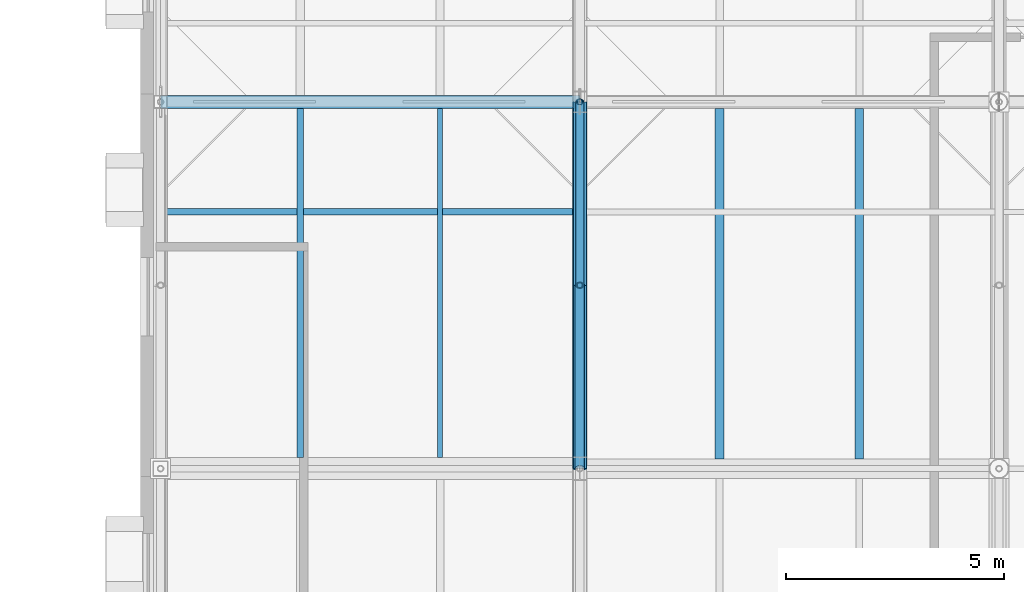
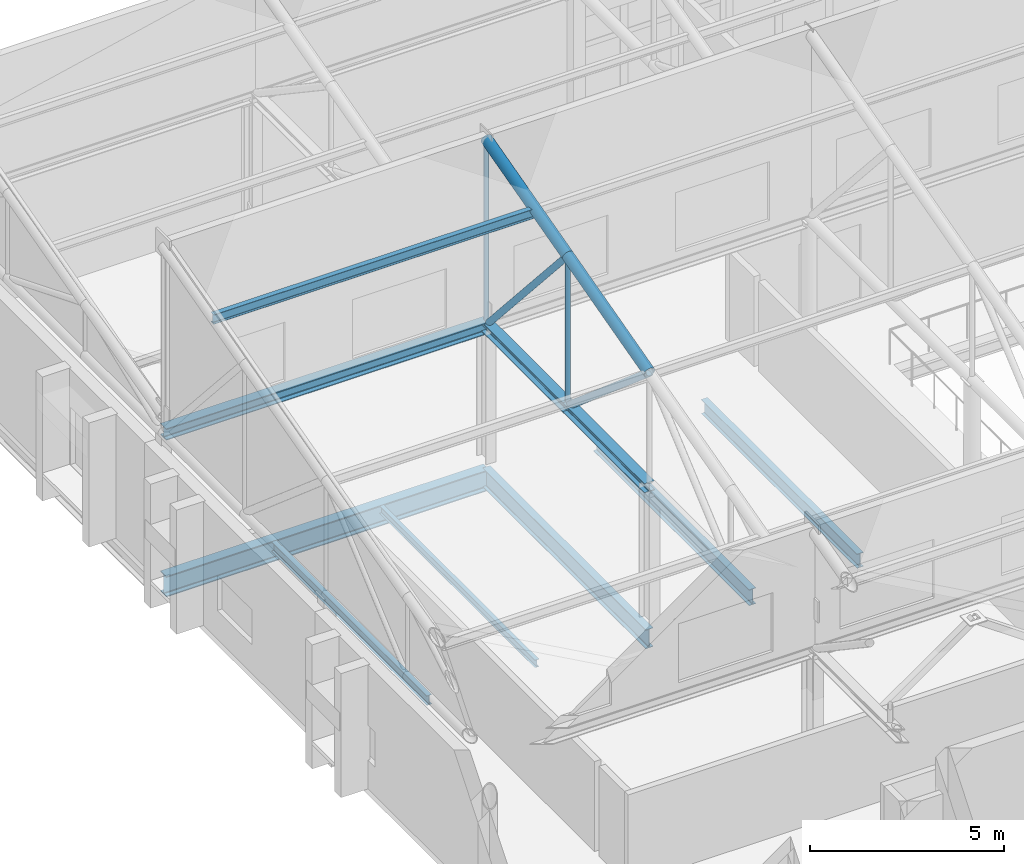
# One storey, part 31 of 89: 9 members, 7 beams.
"""IFC4 building model written with IfcOpenShell, lengths in metres."""

from ifc_helpers import new_model, si_unit, direction, frame, origin, origin_2d, place, context, subcontext, project, spatial, hollow_circle, i_section, extrude, material, material_profile, profile_set, type_object, element, save


model = new_model("IFC4")

# Units and contexts
model_context = context("Model", 3, precision=1e-05, world=origin(), true_north=direction((0.0, 1.0)))
body_context = subcontext(model_context, "Body", "Model", "MODEL_VIEW")
ifc_project = project(units=[si_unit("LENGTHUNIT", "METRE"), si_unit("AREAUNIT", "SQUARE_METRE"), si_unit("VOLUMEUNIT", "CUBIC_METRE"), si_unit("PLANEANGLEUNIT", "RADIAN"), si_unit("MASSUNIT", "GRAM", prefix="KILO")], contexts=[model_context])

# Site, building, storey
site_placement = place(None, origin())
site = spatial("IfcSite", under=ifc_project, at=site_placement, CompositionType="ELEMENT")
building_placement = place(site_placement, origin())
building = spatial("IfcBuilding", under=site, at=building_placement, Name="Zereglee Splitstone Museum", CompositionType="ELEMENT")
storey_placement = place(building_placement, frame((0.0, 0.0, 21.300048828125)))
storey = spatial("IfcBuildingStorey", under=building, at=storey_placement, Name="L04", CompositionType="ELEMENT", Elevation=21.300048828125)

# Members
ifc_material_1 = material(Name="Steel S355J2H", Category="steel")
ifc_material_profile_1 = material_profile(ifc_material_1, hollow_circle(Radius=0.096923828125, WallThickness=0.010009765625, at=origin_2d()), Name="CHS 193.7x10")
ifc_profile_set_1 = profile_set([ifc_material_profile_1], Name="Steel S355J2H")
member_type_1 = type_object("IfcMemberType", Name="TB-04", PredefinedType="BRACE", material=ifc_profile_set_1)
member_1_placement = place(storey_placement, frame((87.60009765625, 38.39990234375, 4.199951171875), z_axis=(0.0, -0.664351853733, 0.747419971932), x_axis=(1.0, 0.0, 0.0)))
element("IfcMember", 1, at=member_1_placement, inside=storey, type_object=member_type_1, Name="Roof Truss ST-02 Diagonal 2.4", PredefinedType="BRACE", context=body_context, shape_type="SweptSolid", body=[
    extrude(hollow_circle(Radius=0.096923828125, WallThickness=0.010009765625, at=origin_2d()), origin(), (0.0, 0.0, 1.0), 6.32177734375),
])
ifc_material_profile_2 = material_profile(ifc_material_1, hollow_circle(Radius=0.109619140625, WallThickness=0.010009765625, at=origin_2d()), Name="CHS 219.1x10")
ifc_profile_set_2 = profile_set([ifc_material_profile_2], Name="Steel S355J2H")
member_type_2 = type_object("IfcMemberType", Name="TB-03", PredefinedType="BRACE", material=ifc_profile_set_2)
member_2_placement = place(storey_placement, frame((87.60009765625, 34.199951171875, 4.199951171875), z_axis=(0.0, -0.759244140748, 0.650805911728), x_axis=(1.0, 0.0, 0.0)))
element("IfcMember", 2, at=member_2_placement, inside=storey, type_object=member_type_2, Name="Roof Truss ST-02 Diagonal 2.3", PredefinedType="BRACE", context=body_context, shape_type="SweptSolid", body=[
    extrude(hollow_circle(Radius=0.109619140625, WallThickness=0.010009765625, at=origin_2d()), origin(), (0.0, 0.0, 1.0), 5.53173828125),
])
ifc_material_profile_3 = material_profile(ifc_material_1, hollow_circle(Radius=0.161865234375, WallThickness=0.01611328125, at=origin_2d()), Name="CHS 323.9x16")
ifc_profile_set_3 = profile_set([ifc_material_profile_3], Name="Steel S355J2H")
member_type_3 = type_object("IfcMemberType", Name="TC-05", PredefinedType="CHORD", material=ifc_profile_set_3)
for number, where, z_axis, x_axis, name in (
    (3, (87.60009765625, 30.0, 7.800048828125), (0.0, 0.965947299715, 0.258738891884), (-1.0, 0.0, 0.0), "Roof Truss ST-02 Top Chord 2.3"),
    (4, (87.60009765625, 34.199951171875, 8.925048828125), (0.0, 0.965947299715, 0.258738891884), (-1.0, 0.0, 0.0), "Roof Truss ST-02 Top Chord 2.4"),
):
    element("IfcMember", number, at=place(storey_placement, frame(where, z_axis=z_axis, x_axis=x_axis)), inside=storey, type_object=member_type_3, Name=name, PredefinedType="CHORD", context=body_context, shape_type="SweptSolid", body=[
        extrude(hollow_circle(Radius=0.161865234375, WallThickness=0.01611328125, at=origin_2d()), origin(), (0.0, 0.0, 1.0), 4.347900390625),
    ])
ifc_material_2 = material(Name="Steel S355J2", Category="steel")
ifc_material_profile_4 = material_profile(ifc_material_2, i_section(OverallWidth=0.300048828125, OverallDepth=0.300048828125, WebThickness=0.010986328125, FlangeThickness=0.01904296875, FilletRadius=0.027099609375, at=origin_2d()), Name="HE 300 B")
ifc_profile_set_4 = profile_set([ifc_material_profile_4], Name="Steel S355J2")
member_type_4 = type_object("IfcMemberType", Name="TC-07", PredefinedType="CHORD", material=ifc_profile_set_4)
for number, where, z_axis, x_axis, name in (
    (5, (87.60009765625, 30.0, 4.199951171875), (0.0, 1.0, 0.0), (-1.0, 0.0, 0.0), "Roof Truss ST-02 Bottom Chord 2.3"),
    (6, (87.60009765625, 34.199951171875, 4.199951171875), (0.0, 1.0, 0.0), (-1.0, 0.0, 0.0), "Roof Truss ST-02 Bottom Chord 2.4"),
):
    element("IfcMember", number, at=place(storey_placement, frame(where, z_axis=z_axis, x_axis=x_axis)), inside=storey, type_object=member_type_4, Name=name, PredefinedType="CHORD", context=body_context, shape_type="SweptSolid", body=[
        extrude(i_section(OverallWidth=0.300048828125, OverallDepth=0.300048828125, WebThickness=0.010986328125, FlangeThickness=0.01904296875, FilletRadius=0.027099609375, at=origin_2d()), origin(), (0.0, 0.0, 1.0), 4.199951171875),
    ])

# Beams
ifc_material_profile_5 = material_profile(ifc_material_2, i_section(OverallWidth=0.300048828125, OverallDepth=0.360107421875, WebThickness=0.012451171875, FlangeThickness=0.0224609375, FilletRadius=0.027099609375, at=origin_2d()), Name="HE 360 B")
ifc_profile_set_5 = profile_set([ifc_material_profile_5], Name="Steel S355J2")
beam_type_1 = type_object("IfcBeamType", Name="BG-14", PredefinedType="BEAM", material=ifc_profile_set_5)
beam_1_placement = place(storey_placement, frame((78.0, 38.39990234375, 4.199951171875), z_axis=(1.0, 0.0, 0.0), x_axis=(0.0, 1.0, 0.0)))
element("IfcBeam", 7, at=beam_1_placement, inside=storey, type_object=beam_type_1, Name="Sawtooth Monitor Sill Beam B1-S2", PredefinedType="BEAM", context=body_context, shape_type="SweptSolid", body=[
    extrude(i_section(OverallWidth=0.300048828125, OverallDepth=0.360107421875, WebThickness=0.012451171875, FlangeThickness=0.0224609375, FilletRadius=0.027099609375, at=origin_2d()), origin(), (0.0, 0.0, 1.0), 9.60009765625),
])
ifc_material_profile_6 = material_profile(ifc_material_2, i_section(OverallWidth=0.300048828125, OverallDepth=0.64990234375, WebThickness=0.01611328125, FlangeThickness=0.031005859375, FilletRadius=0.027099609375, at=origin_2d()), Name="HE 650 B")
ifc_profile_set_6 = profile_set([ifc_material_profile_6], Name="Steel S355J2")
beam_type_2 = type_object("IfcBeamType", Name="BG-09", PredefinedType="BEAM", material=ifc_profile_set_6)
beam_2_placement = place(storey_placement, frame((78.0, 38.39990234375, -0.5849609375), z_axis=(1.0, 0.0, 0.0), x_axis=(0.0, 1.0, 0.0)))
element("IfcBeam", 8, at=beam_2_placement, inside=storey, type_object=beam_type_2, Name="Primary Girder L04 E (78.0-87.6)", PredefinedType="BEAM", context=body_context, shape_type="SweptSolid", body=[
    extrude(i_section(OverallWidth=0.300048828125, OverallDepth=0.64990234375, WebThickness=0.01611328125, FlangeThickness=0.031005859375, FilletRadius=0.027099609375, at=origin_2d()), origin(), (0.0, 0.0, 1.0), 9.60009765625),
])
ifc_material_profile_7 = material_profile(ifc_material_2, i_section(OverallWidth=0.219970703125, OverallDepth=0.60009765625, WebThickness=0.011962890625, FlangeThickness=0.01904296875, FilletRadius=0.02392578125, at=origin_2d()), Name="IPE 600")
ifc_profile_set_7 = profile_set([ifc_material_profile_7], Name="Steel S355J2")
beam_type_3 = type_object("IfcBeamType", Name="BG-15", PredefinedType="BEAM", material=ifc_profile_set_7)
beam_3_placement = place(storey_placement, frame((87.60009765625, 30.0, -0.56005859375), z_axis=(0.0, 1.0, 0.0), x_axis=(-1.0, 0.0, 0.0)))
element("IfcBeam", 9, at=beam_3_placement, inside=storey, type_object=beam_type_3, Name="Primary Girder L04 11 (30.0-38.4)", PredefinedType="BEAM", context=body_context, shape_type="SweptSolid", body=[
    extrude(i_section(OverallWidth=0.219970703125, OverallDepth=0.60009765625, WebThickness=0.011962890625, FlangeThickness=0.01904296875, FilletRadius=0.02392578125, at=origin_2d()), origin(), (0.0, 0.0, 1.0), 8.39990234375),
])
ifc_material_profile_8 = material_profile(ifc_material_2, i_section(OverallWidth=0.1201171875, OverallDepth=0.239990234375, WebThickness=0.006103515625, FlangeThickness=0.009765625, FilletRadius=0.014892578125, at=origin_2d()), Name="IPE 240")
ifc_profile_set_8 = profile_set([ifc_material_profile_8], Name="Steel S355J2")
beam_type_4 = type_object("IfcBeamType", Name="BJ-07", PredefinedType="JOIST", material=ifc_profile_set_8)
beam_4_placement = place(storey_placement, frame((84.39990234375, 30.25, -0.380126953125), z_axis=(0.0, 1.0, 0.0), x_axis=(-1.0, 0.0, 0.0)))
element("IfcBeam", 10, at=beam_4_placement, inside=storey, type_object=beam_type_4, Name="Secondary Floor Joist L04-1539", PredefinedType="JOIST", context=body_context, shape_type="SweptSolid", body=[
    extrude(i_section(OverallWidth=0.1201171875, OverallDepth=0.239990234375, WebThickness=0.006103515625, FlangeThickness=0.009765625, FilletRadius=0.014892578125, at=origin_2d()), origin(), (0.0, 0.0, 1.0), 8.0),
])
ifc_material_profile_9 = material_profile(ifc_material_2, i_section(OverallWidth=0.14990234375, OverallDepth=0.300048828125, WebThickness=0.007080078125, FlangeThickness=0.0107421875, FilletRadius=0.014892578125, at=origin_2d()), Name="IPE 300")
ifc_profile_set_9 = profile_set([ifc_material_profile_9], Name="Steel S355J2")
beam_type_5 = type_object("IfcBeamType", Name="BJ-06", PredefinedType="JOIST", material=ifc_profile_set_9)
beam_5_placement = place(storey_placement, frame((81.199951171875, 30.25, -0.41015625), z_axis=(0.0, 1.0, 0.0), x_axis=(-1.0, 0.0, 0.0)))
element("IfcBeam", 11, at=beam_5_placement, inside=storey, type_object=beam_type_5, Name="Secondary Floor Joist L04-1538", PredefinedType="JOIST", context=body_context, shape_type="SweptSolid", body=[
    extrude(i_section(OverallWidth=0.14990234375, OverallDepth=0.300048828125, WebThickness=0.007080078125, FlangeThickness=0.0107421875, FilletRadius=0.014892578125, at=origin_2d()), origin(), (0.0, 0.0, 1.0), 8.0),
])
ifc_material_profile_10 = material_profile(ifc_material_2, i_section(OverallWidth=0.18994140625, OverallDepth=0.449951171875, WebThickness=0.009521484375, FlangeThickness=0.0146484375, FilletRadius=0.02099609375, at=origin_2d()), Name="IPE 450")
ifc_profile_set_10 = profile_set([ifc_material_profile_10], Name="Steel S355J2")
beam_type_6 = type_object("IfcBeamType", Name="BJ-02", PredefinedType="JOIST", material=ifc_profile_set_10)
beam_6_placement = place(storey_placement, frame((94.0, 30.22509765625, -0.485107421875), z_axis=(0.0, 1.0, 0.0), x_axis=(-1.0, 0.0, 0.0)))
element("IfcBeam", 12, at=beam_6_placement, inside=storey, type_object=beam_type_6, Name="Secondary Floor Joist L04-1541", PredefinedType="JOIST", context=body_context, shape_type="SweptSolid", body=[
    extrude(i_section(OverallWidth=0.18994140625, OverallDepth=0.449951171875, WebThickness=0.009521484375, FlangeThickness=0.0146484375, FilletRadius=0.02099609375, at=origin_2d()), origin(), (0.0, 0.0, 1.0), 8.02490234375),
])
ifc_material_profile_11 = material_profile(ifc_material_2, i_section(OverallWidth=0.199951171875, OverallDepth=0.5, WebThickness=0.01025390625, FlangeThickness=0.01611328125, FilletRadius=0.02099609375, at=origin_2d()), Name="IPE 500")
ifc_profile_set_11 = profile_set([ifc_material_profile_11], Name="Steel S355J2")
beam_type_7 = type_object("IfcBeamType", Name="BJ-01", PredefinedType="JOIST", material=ifc_profile_set_11)
beam_7_placement = place(storey_placement, frame((90.800048828125, 30.22509765625, -0.510009765625), z_axis=(0.0, 1.0, 0.0), x_axis=(-1.0, 0.0, 0.0)))
element("IfcBeam", 13, at=beam_7_placement, inside=storey, type_object=beam_type_7, Name="Secondary Floor Joist L04-1540", PredefinedType="JOIST", context=body_context, shape_type="SweptSolid", body=[
    extrude(i_section(OverallWidth=0.199951171875, OverallDepth=0.5, WebThickness=0.01025390625, FlangeThickness=0.01611328125, FilletRadius=0.02099609375, at=origin_2d()), origin(), (0.0, 0.0, 1.0), 8.02490234375),
])

# Members
ifc_material_profile_12 = material_profile(ifc_material_1, hollow_circle(Radius=0.06982421875, WallThickness=0.008056640625, at=origin_2d()), Name="CHS 139.7x8")
ifc_profile_set_12 = profile_set([ifc_material_profile_12], Name="Steel S355J2H")
member_type_5 = type_object("IfcMemberType", Name="TP-03", PredefinedType="POST", material=ifc_profile_set_12)
member_3_placement = place(storey_placement, frame((87.60009765625, 34.199951171875, 4.199951171875), z_axis=(0.0, 0.0, 1.0), x_axis=(1.0, 0.0, 0.0)))
element("IfcMember", 14, at=member_3_placement, inside=storey, type_object=member_type_5, Name="Roof Truss ST-02 Post 2.3", PredefinedType="POST", context=body_context, shape_type="SweptSolid", body=[
    extrude(hollow_circle(Radius=0.06982421875, WallThickness=0.008056640625, at=origin_2d()), origin(), (0.0, 0.0, 1.0), 4.72509765625),
])
member_4_placement = place(storey_placement, frame((87.60009765625, 38.39990234375, 4.199951171875), z_axis=(0.0, 0.0, 1.0), x_axis=(1.0, 0.0, 0.0)))
element("IfcMember", 15, at=member_4_placement, inside=storey, type_object=member_type_5, Name="Roof Truss ST-02 Post 2.4", PredefinedType="POST", context=body_context, shape_type="SweptSolid", body=[
    extrude(hollow_circle(Radius=0.06982421875, WallThickness=0.008056640625, at=origin_2d()), origin(), (0.0, 0.0, 1.0), 5.85009765625),
])
ifc_material_profile_13 = material_profile(ifc_material_2, i_section(OverallWidth=0.14990234375, OverallDepth=0.300048828125, WebThickness=0.007080078125, FlangeThickness=0.0107421875, FilletRadius=0.014892578125, at=origin_2d()), Name="IPE 300")
ifc_profile_set_13 = profile_set([ifc_material_profile_13], Name="Steel S355J2")
member_type_6 = type_object("IfcMemberType", Name="PR-01", PredefinedType="PURLIN", material=ifc_profile_set_13)
member_5_placement = place(storey_placement, frame((78.0, 35.8798828125, 9.298095703125), z_axis=(1.0, 0.0, 0.0), x_axis=(0.0, 1.0, 0.0)))
element("IfcMember", 16, at=member_5_placement, inside=storey, type_object=member_type_6, Name="Sawtooth Roof Purlin B1-S2-3", PredefinedType="PURLIN", context=body_context, shape_type="SweptSolid", body=[
    extrude(i_section(OverallWidth=0.14990234375, OverallDepth=0.300048828125, WebThickness=0.007080078125, FlangeThickness=0.0107421875, FilletRadius=0.014892578125, at=origin_2d()), origin(), (0.0, 0.0, 1.0), 9.60009765625),
])

save(model, "model.ifc")
